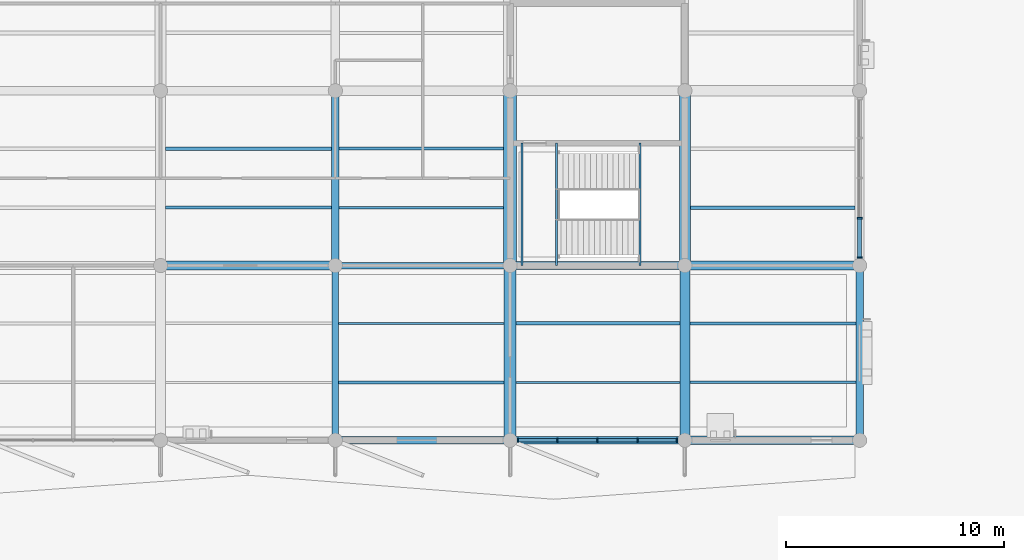
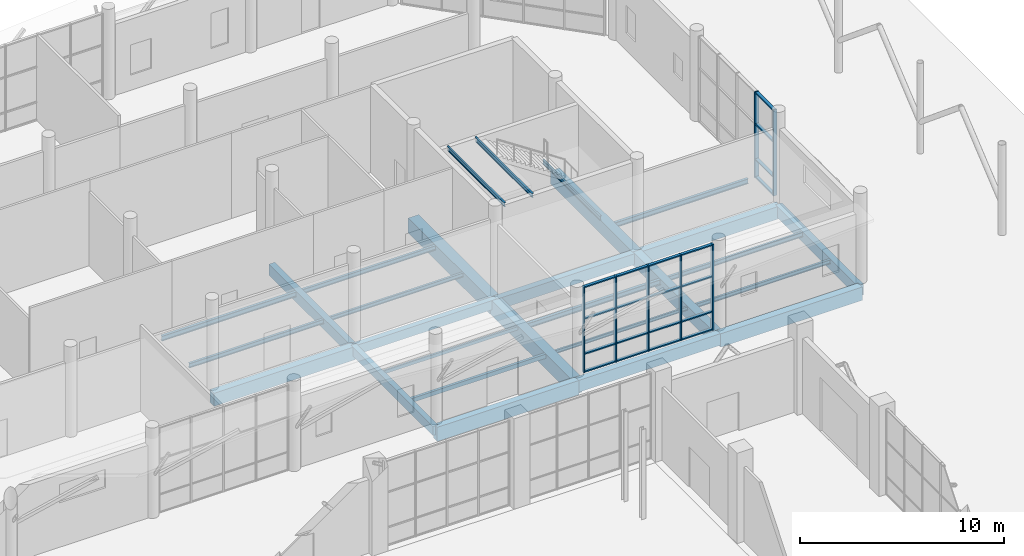
# One storey, part 58 of 123: 28 beams, 27 members, 2 elements without a shape of their own.
"""IFC4 building model written with IfcOpenShell, lengths in metres."""

from ifc_helpers import new_model, si_unit, direction, frame, origin, origin_2d, place, context, subcontext, project, spatial, rectangle, hollow_rectangle, i_section, extrude, material, material_profile, profile_set, type_object, element, aggregate, save


model = new_model("IFC4")

# Units and contexts
model_context = context("Model", 3, precision=1e-05, world=origin(), true_north=direction((0.0, 1.0)))
body_context = subcontext(model_context, "Body", "Model", "MODEL_VIEW")
ifc_project = project(units=[si_unit("LENGTHUNIT", "METRE"), si_unit("AREAUNIT", "SQUARE_METRE"), si_unit("VOLUMEUNIT", "CUBIC_METRE"), si_unit("PLANEANGLEUNIT", "RADIAN"), si_unit("MASSUNIT", "GRAM", prefix="KILO")], contexts=[model_context])

# Site, building, storey
site_placement = place(None, origin())
site = spatial("IfcSite", under=ifc_project, at=site_placement, CompositionType="ELEMENT")
building_placement = place(site_placement, origin())
building = spatial("IfcBuilding", under=site, at=building_placement, Name="Tenunan Teduh Sports Hall", CompositionType="ELEMENT")
storey_placement = place(building_placement, origin())
storey = spatial("IfcBuildingStorey", under=building, at=storey_placement, Name="L00", CompositionType="ELEMENT", Elevation=0.0)

# Beams
ifc_material_1 = material(Name="Concrete C40/50", Category="concrete")
ifc_material_profile_1 = material_profile(ifc_material_1, rectangle(XDim=0.300048828125, YDim=0.550048828125, at=origin_2d()), Name="RCB 300x550")
ifc_profile_set_1 = profile_set([ifc_material_profile_1], Name="Concrete C40/50")
beam_type_1 = type_object("IfcBeamType", Name="BM-RC-300x550", PredefinedType="BEAM", material=ifc_profile_set_1)
for number, where, z_axis, x_axis, name in (
    (1, (138.0, 94.0, -0.554931640625), (1.0, 0.0, 0.0), (0.0, 1.0, 0.0), "BM-B-02-L00-0713"),
    (2, (138.0, 86.0, -0.554931640625), (0.0, 1.0, 0.0), (-1.0, 0.0, 0.0), "BM-B-02-L00-0864"),
):
    element("IfcBeam", number, at=place(storey_placement, frame(where, z_axis=z_axis, x_axis=x_axis)), inside=storey, type_object=beam_type_1, Name=name, PredefinedType="BEAM", context=body_context, shape_type="SweptSolid", body=[
        extrude(rectangle(XDim=0.300048828125, YDim=0.550048828125, at=origin_2d()), origin(), (0.0, 0.0, 1.0), 8.0),
    ])
ifc_material_2 = material(Name="Concrete C40/50", Category="concrete")
ifc_material_profile_2 = material_profile(ifc_material_2, rectangle(XDim=0.35009765625, YDim=0.64990234375, at=origin_2d()), Name="RCB 350x650")
ifc_profile_set_2 = profile_set([ifc_material_profile_2], Name="Concrete C40/50")
beam_type_2 = type_object("IfcBeamType", Name="BM-RC-350x650", PredefinedType="BEAM", material=ifc_profile_set_2)
for number, where, z_axis, x_axis, name in (
    (3, (146.0, 94.0, -0.60498046875), (1.0, 0.0, 0.0), (0.0, 1.0, 0.0), "BM-B-05-L00-0714"),
    (4, (138.0, 94.0, -0.60498046875), (0.0, 1.0, 0.0), (-1.0, 0.0, 0.0), "BM-B-05-L00-0865"),
    (5, (162.0, 86.0, -0.60498046875), (0.0, 1.0, 0.0), (-1.0, 0.0, 0.0), "BM-B-05-L00-0887"),
):
    element("IfcBeam", number, at=place(storey_placement, frame(where, z_axis=z_axis, x_axis=x_axis)), inside=storey, type_object=beam_type_2, Name=name, PredefinedType="BEAM", context=body_context, shape_type="SweptSolid", body=[
        extrude(rectangle(XDim=0.35009765625, YDim=0.64990234375, at=origin_2d()), origin(), (0.0, 0.0, 1.0), 8.0),
    ])
ifc_material_3 = material(Name="Concrete C40/50", Category="concrete")
ifc_material_profile_3 = material_profile(ifc_material_3, rectangle(XDim=0.35009765625, YDim=0.699951171875, at=origin_2d()), Name="RCB 350x700")
ifc_profile_set_3 = profile_set([ifc_material_profile_3], Name="Concrete C40/50")
beam_type_3 = type_object("IfcBeamType", Name="BM-RC-350x700", PredefinedType="BEAM", material=ifc_profile_set_3)
beam_1_placement = place(storey_placement, frame((146.0, 86.0, -0.6298828125), z_axis=(1.0, 0.0, 0.0), x_axis=(0.0, 1.0, 0.0)))
element("IfcBeam", 6, at=beam_1_placement, inside=storey, type_object=beam_type_3, Name="BM-B-06-L00-0697", PredefinedType="BEAM", context=body_context, shape_type="SweptSolid", body=[
    extrude(rectangle(XDim=0.35009765625, YDim=0.699951171875, at=origin_2d()), origin(), (0.0, 0.0, 1.0), 8.0),
])
ifc_material_4 = material(Name="Concrete C40/50", Category="concrete")
ifc_material_profile_4 = material_profile(ifc_material_4, rectangle(XDim=0.39990234375, YDim=0.75, at=origin_2d()), Name="RCB 400x750")
ifc_profile_set_4 = profile_set([ifc_material_profile_4], Name="Concrete C40/50")
beam_type_4 = type_object("IfcBeamType", Name="BM-RC-400x750", PredefinedType="BEAM", material=ifc_profile_set_4)
beam_2_placement = place(storey_placement, frame((154.0, 94.0, -0.655029296875), z_axis=(1.0, 0.0, 0.0), x_axis=(0.0, 1.0, 0.0)))
element("IfcBeam", 7, at=beam_2_placement, inside=storey, type_object=beam_type_4, Name="BM-B-09-L00-0715", PredefinedType="BEAM", context=body_context, shape_type="SweptSolid", body=[
    extrude(rectangle(XDim=0.39990234375, YDim=0.75, at=origin_2d()), origin(), (0.0, 0.0, 1.0), 8.0),
])
ifc_material_5 = material(Name="Concrete C40/50", Category="concrete")
ifc_material_profile_5 = material_profile(ifc_material_5, rectangle(XDim=0.39990234375, YDim=0.800048828125, at=origin_2d()), Name="RCB 400x800")
ifc_profile_set_5 = profile_set([ifc_material_profile_5], Name="Concrete C40/50")
beam_type_5 = type_object("IfcBeamType", Name="BM-RC-400x800", PredefinedType="BEAM", material=ifc_profile_set_5)
beam_3_placement = place(storey_placement, frame((154.0, 86.0, -0.679931640625), z_axis=(1.0, 0.0, 0.0), x_axis=(0.0, 1.0, 0.0)))
element("IfcBeam", 8, at=beam_3_placement, inside=storey, type_object=beam_type_5, Name="BM-B-10-L00-0698", PredefinedType="BEAM", context=body_context, shape_type="SweptSolid", body=[
    extrude(rectangle(XDim=0.39990234375, YDim=0.800048828125, at=origin_2d()), origin(), (0.0, 0.0, 1.0), 8.0),
])
ifc_material_6 = material(Name="Concrete C40/50", Category="concrete")
ifc_material_profile_6 = material_profile(ifc_material_6, rectangle(XDim=0.449951171875, YDim=0.800048828125, at=origin_2d()), Name="RCB 450x800")
ifc_profile_set_6 = profile_set([ifc_material_profile_6], Name="Concrete C40/50")
beam_type_6 = type_object("IfcBeamType", Name="BM-RC-450x800", PredefinedType="BEAM", material=ifc_profile_set_6)
beam_4_placement = place(storey_placement, frame((154.0, 86.0, -0.679931640625), z_axis=(0.0, 1.0, 0.0), x_axis=(-1.0, 0.0, 0.0)))
element("IfcBeam", 9, at=beam_4_placement, inside=storey, type_object=beam_type_6, Name="BM-B-12-L00-0882", PredefinedType="BEAM", context=body_context, shape_type="SweptSolid", body=[
    extrude(rectangle(XDim=0.449951171875, YDim=0.800048828125, at=origin_2d()), origin(), (0.0, 0.0, 1.0), 8.0),
])
ifc_material_7 = material(Name="Concrete C40/50", Category="concrete")
ifc_material_profile_7 = material_profile(ifc_material_7, rectangle(XDim=0.5, YDim=0.800048828125, at=origin_2d()), Name="RCB 500x800")
ifc_profile_set_7 = profile_set([ifc_material_profile_7], Name="Concrete C40/50")
beam_type_7 = type_object("IfcBeamType", Name="BM-RC-500x800", PredefinedType="BEAM", material=ifc_profile_set_7)
beam_5_placement = place(storey_placement, frame((154.0, 94.0, -0.679931640625), z_axis=(0.0, 1.0, 0.0), x_axis=(-1.0, 0.0, 0.0)))
element("IfcBeam", 10, at=beam_5_placement, inside=storey, type_object=beam_type_7, Name="BM-B-14-L00-0883", PredefinedType="BEAM", context=body_context, shape_type="SweptSolid", body=[
    extrude(rectangle(XDim=0.5, YDim=0.800048828125, at=origin_2d()), origin(), (0.0, 0.0, 1.0), 8.0),
])
ifc_material_8 = material(Name="Concrete C40/50", Category="concrete")
ifc_material_profile_8 = material_profile(ifc_material_8, rectangle(XDim=0.550048828125, YDim=0.89990234375, at=origin_2d()), Name="RCB 550x900")
ifc_profile_set_8 = profile_set([ifc_material_profile_8], Name="Concrete C40/50")
beam_type_8 = type_object("IfcBeamType", Name="BM-RC-550x900", PredefinedType="BEAM", material=ifc_profile_set_8)
beam_6_placement = place(storey_placement, frame((146.0, 86.0, -0.72998046875), z_axis=(0.0, 1.0, 0.0), x_axis=(-1.0, 0.0, 0.0)))
element("IfcBeam", 11, at=beam_6_placement, inside=storey, type_object=beam_type_8, Name="BM-B-16-L00-0873", PredefinedType="BEAM", context=body_context, shape_type="SweptSolid", body=[
    extrude(rectangle(XDim=0.550048828125, YDim=0.89990234375, at=origin_2d()), origin(), (0.0, 0.0, 1.0), 8.0),
])
ifc_material_9 = material(Name="Concrete C40/50", Category="concrete")
ifc_material_profile_9 = material_profile(ifc_material_9, rectangle(XDim=0.60009765625, YDim=0.89990234375, at=origin_2d()), Name="RCB 600x900")
ifc_profile_set_9 = profile_set([ifc_material_profile_9], Name="Concrete C40/50")
beam_type_9 = type_object("IfcBeamType", Name="BM-RC-600x900", PredefinedType="BEAM", material=ifc_profile_set_9)
beam_7_placement = place(storey_placement, frame((146.0, 94.0, -0.72998046875), z_axis=(0.0, 1.0, 0.0), x_axis=(-1.0, 0.0, 0.0)))
element("IfcBeam", 12, at=beam_7_placement, inside=storey, type_object=beam_type_9, Name="BM-B-17-L00-0874", PredefinedType="BEAM", context=body_context, shape_type="SweptSolid", body=[
    extrude(rectangle(XDim=0.60009765625, YDim=0.89990234375, at=origin_2d()), origin(), (0.0, 0.0, 1.0), 8.0),
])
ifc_material_10 = material(Name="Concrete C40/50", Category="concrete")
ifc_material_profile_10 = material_profile(ifc_material_10, rectangle(XDim=0.35009765625, YDim=0.85009765625, at=origin_2d()), Name="SPB 350x850")
ifc_profile_set_10 = profile_set([ifc_material_profile_10], Name="Concrete C40/50")
beam_type_10 = type_object("IfcBeamType", Name="BM-SP-350x850", PredefinedType="SPANDREL", material=ifc_profile_set_10)
beam_8_placement = place(storey_placement, frame((138.0, 86.0, -0.705078125), z_axis=(1.0, 0.0, 0.0), x_axis=(0.0, 1.0, 0.0)))
element("IfcBeam", 13, at=beam_8_placement, inside=storey, type_object=beam_type_10, Name="BM-SP-02-L00-0696", PredefinedType="SPANDREL", context=body_context, shape_type="SweptSolid", body=[
    extrude(rectangle(XDim=0.35009765625, YDim=0.85009765625, at=origin_2d()), origin(), (0.0, 0.0, 1.0), 8.0),
])
ifc_material_11 = material(Name="Concrete C40/50", Category="concrete")
ifc_material_profile_11 = material_profile(ifc_material_11, rectangle(XDim=0.39990234375, YDim=0.780029296875, at=origin_2d()), Name="TB 400x780")
ifc_profile_set_11 = profile_set([ifc_material_profile_11], Name="Concrete C40/50")
beam_type_11 = type_object("IfcBeamType", Name="BM-TB-400x780", PredefinedType="T_BEAM", material=ifc_profile_set_11)
beam_9_placement = place(storey_placement, frame((130.0, 94.0, -0.669921875), z_axis=(1.0, 0.0, 0.0), x_axis=(0.0, 1.0, 0.0)))
element("IfcBeam", 14, at=beam_9_placement, inside=storey, type_object=beam_type_11, Name="BM-TB-02-L00-0712", PredefinedType="T_BEAM", context=body_context, shape_type="SweptSolid", body=[
    extrude(rectangle(XDim=0.39990234375, YDim=0.780029296875, at=origin_2d()), origin(), (0.0, 0.0, 1.0), 8.0),
])

# Curtain wall, members
ifc_material_12 = material(Name="Anodised aluminium", Category="aluminium")
curtain_wall_type = type_object("IfcCurtainWallType", Name="CW-UNIT-1", PredefinedType="NOTDEFINED", material=ifc_material_12)
curtain_wall_1_placement = place(storey_placement, origin())
curtain_wall_1 = element("IfcCurtainWall", 15, at=curtain_wall_1_placement, inside=storey, type_object=curtain_wall_type, Name="CW-CWM-200-L00-236", PredefinedType="NOTDEFINED")
ifc_material_13 = material(Name="Anodised aluminium", Category="aluminium")
ifc_material_profile_12 = material_profile(ifc_material_13, rectangle(XDim=0.070068359375, YDim=0.199951171875, at=origin_2d()), Name="CWM 70x200")
ifc_profile_set_12 = profile_set([ifc_material_profile_12], Name="Anodised aluminium")
member_type_1 = type_object("IfcMemberType", Name="CWM-200", PredefinedType="MULLION", material=ifc_profile_set_12)
member_1_placement = place(storey_placement, frame((146.360107421875, 86.0, 0.0), z_axis=(0.0, 0.0, 1.0), x_axis=(1.0, 0.0, 0.0)))
member_1 = element("IfcMember", 16, at=member_1_placement, type_object=member_type_1, Name="CW-01 mullion 1", PredefinedType="MULLION", context=body_context, shape_type="SweptSolid", body=[
    extrude(rectangle(XDim=0.070068359375, YDim=0.199951171875, at=origin_2d()), origin(), (0.0, 0.0, 1.0), 5.1201171875),
])
member_2_placement = place(storey_placement, frame((148.16259765625, 86.0, 0.0), z_axis=(0.0, 0.0, 1.0), x_axis=(1.0, 0.0, 0.0)))
member_2 = element("IfcMember", 17, at=member_2_placement, type_object=member_type_1, Name="CW-01 mullion 2", PredefinedType="MULLION", context=body_context, shape_type="SweptSolid", body=[
    extrude(rectangle(XDim=0.070068359375, YDim=0.199951171875, at=origin_2d()), origin(), (0.0, 0.0, 1.0), 5.1201171875),
])
member_3_placement = place(storey_placement, frame((150.0, 86.0, 0.0), z_axis=(0.0, 0.0, 1.0), x_axis=(1.0, 0.0, 0.0)))
member_3 = element("IfcMember", 18, at=member_3_placement, type_object=member_type_1, Name="CW-01 mullion 3", PredefinedType="MULLION", context=body_context, shape_type="SweptSolid", body=[
    extrude(rectangle(XDim=0.070068359375, YDim=0.199951171875, at=origin_2d()), origin(), (0.0, 0.0, 1.0), 5.1201171875),
])
member_4_placement = place(storey_placement, frame((151.83740234375, 86.0, 0.0), z_axis=(0.0, 0.0, 1.0), x_axis=(1.0, 0.0, 0.0)))
member_4 = element("IfcMember", 19, at=member_4_placement, type_object=member_type_1, Name="CW-01 mullion 4", PredefinedType="MULLION", context=body_context, shape_type="SweptSolid", body=[
    extrude(rectangle(XDim=0.070068359375, YDim=0.199951171875, at=origin_2d()), origin(), (0.0, 0.0, 1.0), 5.1201171875),
])
member_5_placement = place(storey_placement, frame((153.639892578125, 86.0, 0.0), z_axis=(0.0, 0.0, 1.0), x_axis=(1.0, 0.0, 0.0)))
member_5 = element("IfcMember", 20, at=member_5_placement, type_object=member_type_1, Name="CW-01 mullion 5", PredefinedType="MULLION", context=body_context, shape_type="SweptSolid", body=[
    extrude(rectangle(XDim=0.070068359375, YDim=0.199951171875, at=origin_2d()), origin(), (0.0, 0.0, 1.0), 5.1201171875),
])

curtain_wall_2_placement = place(storey_placement, origin())
curtain_wall_2 = element("IfcCurtainWall", 21, at=curtain_wall_2_placement, inside=storey, type_object=curtain_wall_type, Name="CW-CWM-220-L00-237", PredefinedType="NOTDEFINED")
ifc_material_14 = material(Name="Anodised aluminium", Category="aluminium")
ifc_material_profile_13 = material_profile(ifc_material_14, rectangle(XDim=0.074951171875, YDim=0.219970703125, at=origin_2d()), Name="CWM 75x220")
ifc_profile_set_13 = profile_set([ifc_material_profile_13], Name="Anodised aluminium")
member_type_2 = type_object("IfcMemberType", Name="CWM-220", PredefinedType="MULLION", material=ifc_profile_set_13)
member_6_placement = place(storey_placement, frame((162.0, 94.362548828125, 0.0), z_axis=(0.0, 0.0, 1.0), x_axis=(0.0, 1.0, 0.0)))
member_6 = element("IfcMember", 22, at=member_6_placement, type_object=member_type_2, Name="CW-01 mullion 1", PredefinedType="MULLION", context=body_context, shape_type="SweptSolid", body=[
    extrude(rectangle(XDim=0.074951171875, YDim=0.219970703125, at=origin_2d()), origin(), (0.0, 0.0, 1.0), 5.1201171875),
])
member_7_placement = place(storey_placement, frame((162.0, 96.16259765625, 0.0), z_axis=(0.0, 0.0, 1.0), x_axis=(0.0, 1.0, 0.0)))
member_7 = element("IfcMember", 23, at=member_7_placement, type_object=member_type_2, Name="CW-01 mullion 2", PredefinedType="MULLION", context=body_context, shape_type="SweptSolid", body=[
    extrude(rectangle(XDim=0.074951171875, YDim=0.219970703125, at=origin_2d()), origin(), (0.0, 0.0, 1.0), 5.1201171875),
])
ifc_material_15 = material(Name="Anodised aluminium", Category="aluminium")
ifc_material_profile_14 = material_profile(ifc_material_15, rectangle(XDim=0.074951171875, YDim=0.179931640625, at=origin_2d()), Name="CWT 75x180")
ifc_profile_set_14 = profile_set([ifc_material_profile_14], Name="Anodised aluminium")
member_type_3 = type_object("IfcMemberType", Name="CWT-180", PredefinedType="USERDEFINED", material=ifc_profile_set_14)
member_8_placement = place(storey_placement, frame((162.0, 94.39990234375, 0.03759765625), z_axis=(0.0, 1.0, 0.0), x_axis=(0.0, 0.0, 1.0)))
member_8 = element("IfcMember", 24, at=member_8_placement, type_object=member_type_3, Name="CW-01 transom 1.1", ObjectType="TRANSOM", PredefinedType="USERDEFINED", context=body_context, shape_type="SweptSolid", body=[
    extrude(rectangle(XDim=0.074951171875, YDim=0.179931640625, at=origin_2d()), origin(), (0.0, 0.0, 1.0), 1.72509765625),
])
member_9_placement = place(storey_placement, frame((162.0, 94.39990234375, 1.10009765625), z_axis=(0.0, 1.0, 0.0), x_axis=(0.0, 0.0, 1.0)))
member_9 = element("IfcMember", 25, at=member_9_placement, type_object=member_type_3, Name="CW-01 transom 1.2", ObjectType="TRANSOM", PredefinedType="USERDEFINED", context=body_context, shape_type="SweptSolid", body=[
    extrude(rectangle(XDim=0.074951171875, YDim=0.179931640625, at=origin_2d()), origin(), (0.0, 0.0, 1.0), 1.72509765625),
])
member_10_placement = place(storey_placement, frame((162.0, 94.39990234375, 3.199951171875), z_axis=(0.0, 1.0, 0.0), x_axis=(0.0, 0.0, 1.0)))
member_10 = element("IfcMember", 26, at=member_10_placement, type_object=member_type_3, Name="CW-01 transom 1.3", ObjectType="TRANSOM", PredefinedType="USERDEFINED", context=body_context, shape_type="SweptSolid", body=[
    extrude(rectangle(XDim=0.074951171875, YDim=0.179931640625, at=origin_2d()), origin(), (0.0, 0.0, 1.0), 1.72509765625),
])
member_11_placement = place(storey_placement, frame((162.0, 94.39990234375, 5.08251953125), z_axis=(0.0, 1.0, 0.0), x_axis=(0.0, 0.0, 1.0)))
member_11 = element("IfcMember", 27, at=member_11_placement, type_object=member_type_3, Name="CW-01 transom 1.4", ObjectType="TRANSOM", PredefinedType="USERDEFINED", context=body_context, shape_type="SweptSolid", body=[
    extrude(rectangle(XDim=0.074951171875, YDim=0.179931640625, at=origin_2d()), origin(), (0.0, 0.0, 1.0), 1.72509765625),
])
aggregate(curtain_wall_2, [member_6, member_7, member_8, member_9, member_10, member_11])

# Member
ifc_material_16 = material(Name="Anodised aluminium", Category="aluminium")
ifc_material_profile_15 = material_profile(ifc_material_16, rectangle(XDim=0.070068359375, YDim=0.159912109375, at=origin_2d()), Name="CWT 70x160")
ifc_profile_set_15 = profile_set([ifc_material_profile_15], Name="Anodised aluminium")
member_type_4 = type_object("IfcMemberType", Name="CWT-200", PredefinedType="USERDEFINED", material=ifc_profile_set_15)
member_12_placement = place(storey_placement, frame((146.39501953125, 86.0, 0.034912109375), z_axis=(1.0, 0.0, 0.0), x_axis=(0.0, 0.0, 1.0)))
member_12 = element("IfcMember", 28, at=member_12_placement, type_object=member_type_4, Name="CW-01 transom 1.1", ObjectType="TRANSOM", PredefinedType="USERDEFINED", context=body_context, shape_type="SweptSolid", body=[
    extrude(rectangle(XDim=0.070068359375, YDim=0.159912109375, at=origin_2d()), origin(), (0.0, 0.0, 1.0), 1.732421875),
])

member_13_placement = place(storey_placement, frame((146.39501953125, 86.0, 1.10009765625), z_axis=(1.0, 0.0, 0.0), x_axis=(0.0, 0.0, 1.0)))
member_13 = element("IfcMember", 29, at=member_13_placement, type_object=member_type_4, Name="CW-01 transom 1.2", ObjectType="TRANSOM", PredefinedType="USERDEFINED", context=body_context, shape_type="SweptSolid", body=[
    extrude(rectangle(XDim=0.070068359375, YDim=0.159912109375, at=origin_2d()), origin(), (0.0, 0.0, 1.0), 1.732421875),
])

member_14_placement = place(storey_placement, frame((146.39501953125, 86.0, 3.199951171875), z_axis=(1.0, 0.0, 0.0), x_axis=(0.0, 0.0, 1.0)))
member_14 = element("IfcMember", 30, at=member_14_placement, type_object=member_type_4, Name="CW-01 transom 1.3", ObjectType="TRANSOM", PredefinedType="USERDEFINED", context=body_context, shape_type="SweptSolid", body=[
    extrude(rectangle(XDim=0.070068359375, YDim=0.159912109375, at=origin_2d()), origin(), (0.0, 0.0, 1.0), 1.732421875),
])

member_15_placement = place(storey_placement, frame((146.39501953125, 86.0, 5.0849609375), z_axis=(1.0, 0.0, 0.0), x_axis=(0.0, 0.0, 1.0)))
member_15 = element("IfcMember", 31, at=member_15_placement, type_object=member_type_4, Name="CW-01 transom 1.4", ObjectType="TRANSOM", PredefinedType="USERDEFINED", context=body_context, shape_type="SweptSolid", body=[
    extrude(rectangle(XDim=0.070068359375, YDim=0.159912109375, at=origin_2d()), origin(), (0.0, 0.0, 1.0), 1.732421875),
])

member_16_placement = place(storey_placement, frame((148.197509765625, 86.0, 0.034912109375), z_axis=(1.0, 0.0, 0.0), x_axis=(0.0, 0.0, 1.0)))
member_16 = element("IfcMember", 32, at=member_16_placement, type_object=member_type_4, Name="CW-01 transom 2.1", ObjectType="TRANSOM", PredefinedType="USERDEFINED", context=body_context, shape_type="SweptSolid", body=[
    extrude(rectangle(XDim=0.070068359375, YDim=0.159912109375, at=origin_2d()), origin(), (0.0, 0.0, 1.0), 1.767578125),
])

member_17_placement = place(storey_placement, frame((148.197509765625, 86.0, 1.10009765625), z_axis=(1.0, 0.0, 0.0), x_axis=(0.0, 0.0, 1.0)))
member_17 = element("IfcMember", 33, at=member_17_placement, type_object=member_type_4, Name="CW-01 transom 2.2", ObjectType="TRANSOM", PredefinedType="USERDEFINED", context=body_context, shape_type="SweptSolid", body=[
    extrude(rectangle(XDim=0.070068359375, YDim=0.159912109375, at=origin_2d()), origin(), (0.0, 0.0, 1.0), 1.767578125),
])

member_18_placement = place(storey_placement, frame((148.197509765625, 86.0, 3.199951171875), z_axis=(1.0, 0.0, 0.0), x_axis=(0.0, 0.0, 1.0)))
member_18 = element("IfcMember", 34, at=member_18_placement, type_object=member_type_4, Name="CW-01 transom 2.3", ObjectType="TRANSOM", PredefinedType="USERDEFINED", context=body_context, shape_type="SweptSolid", body=[
    extrude(rectangle(XDim=0.070068359375, YDim=0.159912109375, at=origin_2d()), origin(), (0.0, 0.0, 1.0), 1.767578125),
])

member_19_placement = place(storey_placement, frame((148.197509765625, 86.0, 5.0849609375), z_axis=(1.0, 0.0, 0.0), x_axis=(0.0, 0.0, 1.0)))
member_19 = element("IfcMember", 35, at=member_19_placement, type_object=member_type_4, Name="CW-01 transom 2.4", ObjectType="TRANSOM", PredefinedType="USERDEFINED", context=body_context, shape_type="SweptSolid", body=[
    extrude(rectangle(XDim=0.070068359375, YDim=0.159912109375, at=origin_2d()), origin(), (0.0, 0.0, 1.0), 1.767578125),
])

member_20_placement = place(storey_placement, frame((150.034912109375, 86.0, 0.034912109375), z_axis=(1.0, 0.0, 0.0), x_axis=(0.0, 0.0, 1.0)))
member_20 = element("IfcMember", 36, at=member_20_placement, type_object=member_type_4, Name="CW-01 transom 3.1", ObjectType="TRANSOM", PredefinedType="USERDEFINED", context=body_context, shape_type="SweptSolid", body=[
    extrude(rectangle(XDim=0.070068359375, YDim=0.159912109375, at=origin_2d()), origin(), (0.0, 0.0, 1.0), 1.767578125),
])

member_21_placement = place(storey_placement, frame((150.034912109375, 86.0, 1.10009765625), z_axis=(1.0, 0.0, 0.0), x_axis=(0.0, 0.0, 1.0)))
member_21 = element("IfcMember", 37, at=member_21_placement, type_object=member_type_4, Name="CW-01 transom 3.2", ObjectType="TRANSOM", PredefinedType="USERDEFINED", context=body_context, shape_type="SweptSolid", body=[
    extrude(rectangle(XDim=0.070068359375, YDim=0.159912109375, at=origin_2d()), origin(), (0.0, 0.0, 1.0), 1.767578125),
])

member_22_placement = place(storey_placement, frame((150.034912109375, 86.0, 3.199951171875), z_axis=(1.0, 0.0, 0.0), x_axis=(0.0, 0.0, 1.0)))
member_22 = element("IfcMember", 38, at=member_22_placement, type_object=member_type_4, Name="CW-01 transom 3.3", ObjectType="TRANSOM", PredefinedType="USERDEFINED", context=body_context, shape_type="SweptSolid", body=[
    extrude(rectangle(XDim=0.070068359375, YDim=0.159912109375, at=origin_2d()), origin(), (0.0, 0.0, 1.0), 1.767578125),
])

member_23_placement = place(storey_placement, frame((150.034912109375, 86.0, 5.0849609375), z_axis=(1.0, 0.0, 0.0), x_axis=(0.0, 0.0, 1.0)))
member_23 = element("IfcMember", 39, at=member_23_placement, type_object=member_type_4, Name="CW-01 transom 3.4", ObjectType="TRANSOM", PredefinedType="USERDEFINED", context=body_context, shape_type="SweptSolid", body=[
    extrude(rectangle(XDim=0.070068359375, YDim=0.159912109375, at=origin_2d()), origin(), (0.0, 0.0, 1.0), 1.767578125),
])

member_24_placement = place(storey_placement, frame((151.87255859375, 86.0, 0.034912109375), z_axis=(1.0, 0.0, 0.0), x_axis=(0.0, 0.0, 1.0)))
member_24 = element("IfcMember", 40, at=member_24_placement, type_object=member_type_4, Name="CW-01 transom 4.1", ObjectType="TRANSOM", PredefinedType="USERDEFINED", context=body_context, shape_type="SweptSolid", body=[
    extrude(rectangle(XDim=0.070068359375, YDim=0.159912109375, at=origin_2d()), origin(), (0.0, 0.0, 1.0), 1.732421875),
])

member_25_placement = place(storey_placement, frame((151.87255859375, 86.0, 1.10009765625), z_axis=(1.0, 0.0, 0.0), x_axis=(0.0, 0.0, 1.0)))
member_25 = element("IfcMember", 41, at=member_25_placement, type_object=member_type_4, Name="CW-01 transom 4.2", ObjectType="TRANSOM", PredefinedType="USERDEFINED", context=body_context, shape_type="SweptSolid", body=[
    extrude(rectangle(XDim=0.070068359375, YDim=0.159912109375, at=origin_2d()), origin(), (0.0, 0.0, 1.0), 1.732421875),
])

member_26_placement = place(storey_placement, frame((151.87255859375, 86.0, 3.199951171875), z_axis=(1.0, 0.0, 0.0), x_axis=(0.0, 0.0, 1.0)))
member_26 = element("IfcMember", 42, at=member_26_placement, type_object=member_type_4, Name="CW-01 transom 4.3", ObjectType="TRANSOM", PredefinedType="USERDEFINED", context=body_context, shape_type="SweptSolid", body=[
    extrude(rectangle(XDim=0.070068359375, YDim=0.159912109375, at=origin_2d()), origin(), (0.0, 0.0, 1.0), 1.732421875),
])

member_27_placement = place(storey_placement, frame((151.87255859375, 86.0, 5.0849609375), z_axis=(1.0, 0.0, 0.0), x_axis=(0.0, 0.0, 1.0)))
member_27 = element("IfcMember", 43, at=member_27_placement, type_object=member_type_4, Name="CW-01 transom 4.4", ObjectType="TRANSOM", PredefinedType="USERDEFINED", context=body_context, shape_type="SweptSolid", body=[
    extrude(rectangle(XDim=0.070068359375, YDim=0.159912109375, at=origin_2d()), origin(), (0.0, 0.0, 1.0), 1.732421875),
])

aggregate(curtain_wall_1, [member_1, member_2, member_3, member_4, member_5, member_12, member_13, member_14, member_15, member_16, member_17, member_18, member_19, member_20, member_21, member_22, member_23, member_24, member_25, member_26, member_27])

# Beams
ifc_material_17 = material(Name="Steel S355", Category="steel")
ifc_material_profile_16 = material_profile(ifc_material_17, i_section(OverallWidth=0.10009765625, OverallDepth=0.199951171875, WebThickness=0.005615234375, FlangeThickness=0.008544921875, FilletRadius=0.011962890625, at=origin_2d()), Name="IPE 200")
ifc_profile_set_16 = profile_set([ifc_material_profile_16], Name="Steel S355")
beam_type_12 = type_object("IfcBeamType", Name="JST-IPE200", PredefinedType="JOIST", material=ifc_profile_set_16)
beam_10_placement = place(storey_placement, frame((146.27490234375, 88.64990234375, -0.3798828125), z_axis=(1.0, 0.0, 0.0), x_axis=(0.0, 1.0, 0.0)))
element("IfcBeam", 44, at=beam_10_placement, inside=storey, type_object=beam_type_12, Name="BM-J-01-L00-1040", PredefinedType="JOIST", context=body_context, shape_type="SweptSolid", body=[
    extrude(i_section(OverallWidth=0.10009765625, OverallDepth=0.199951171875, WebThickness=0.005615234375, FlangeThickness=0.008544921875, FilletRadius=0.011962890625, at=origin_2d()), origin(), (0.0, 0.0, 1.0), 7.5),
])
ifc_material_18 = material(Name="Steel S355", Category="steel")
ifc_material_profile_17 = material_profile(ifc_material_18, i_section(OverallWidth=0.1201171875, OverallDepth=0.239990234375, WebThickness=0.006103515625, FlangeThickness=0.009765625, FilletRadius=0.014892578125, at=origin_2d()), Name="IPE 240")
ifc_profile_set_17 = profile_set([ifc_material_profile_17], Name="Steel S355")
beam_type_13 = type_object("IfcBeamType", Name="JST-IPE240", PredefinedType="JOIST", material=ifc_profile_set_17)
beam_11_placement = place(storey_placement, frame((138.175048828125, 96.64990234375, -0.39990234375), z_axis=(1.0, 0.0, 0.0), x_axis=(0.0, 1.0, 0.0)))
element("IfcBeam", 45, at=beam_11_placement, inside=storey, type_object=beam_type_13, Name="BM-J-02-L00-1024", PredefinedType="JOIST", context=body_context, shape_type="SweptSolid", body=[
    extrude(i_section(OverallWidth=0.1201171875, OverallDepth=0.239990234375, WebThickness=0.006103515625, FlangeThickness=0.009765625, FilletRadius=0.014892578125, at=origin_2d()), origin(), (0.0, 0.0, 1.0), 7.52490234375),
])
beam_12_placement = place(storey_placement, frame((154.22509765625, 88.64990234375, -0.39990234375), z_axis=(1.0, 0.0, 0.0), x_axis=(0.0, 1.0, 0.0)))
element("IfcBeam", 46, at=beam_12_placement, inside=storey, type_object=beam_type_13, Name="BM-J-02-L00-1046", PredefinedType="JOIST", context=body_context, shape_type="SweptSolid", body=[
    extrude(i_section(OverallWidth=0.1201171875, OverallDepth=0.239990234375, WebThickness=0.006103515625, FlangeThickness=0.009765625, FilletRadius=0.014892578125, at=origin_2d()), origin(), (0.0, 0.0, 1.0), 7.599853515625),
])
ifc_material_19 = material(Name="Steel S355", Category="steel")
ifc_material_profile_18 = material_profile(ifc_material_19, i_section(OverallWidth=0.135009765625, OverallDepth=0.27001953125, WebThickness=0.006591796875, FlangeThickness=0.01025390625, FilletRadius=0.014892578125, at=origin_2d()), Name="IPE 270")
ifc_profile_set_18 = profile_set([ifc_material_profile_18], Name="Steel S355")
beam_type_14 = type_object("IfcBeamType", Name="JST-IPE270", PredefinedType="JOIST", material=ifc_profile_set_18)
beam_13_placement = place(storey_placement, frame((130.22509765625, 96.64990234375, -0.4150390625), z_axis=(1.0, 0.0, 0.0), x_axis=(0.0, 1.0, 0.0)))
element("IfcBeam", 47, at=beam_13_placement, inside=storey, type_object=beam_type_14, Name="BM-J-03-L00-1014", PredefinedType="JOIST", context=body_context, shape_type="SweptSolid", body=[
    extrude(i_section(OverallWidth=0.135009765625, OverallDepth=0.27001953125, WebThickness=0.006591796875, FlangeThickness=0.01025390625, FilletRadius=0.014892578125, at=origin_2d()), origin(), (0.0, 0.0, 1.0), 7.599853515625),
])
beam_14_placement = place(storey_placement, frame((138.175048828125, 99.35009765625, -0.4150390625), z_axis=(1.0, 0.0, 0.0), x_axis=(0.0, 1.0, 0.0)))
element("IfcBeam", 48, at=beam_14_placement, inside=storey, type_object=beam_type_14, Name="BM-J-03-L00-1025", PredefinedType="JOIST", context=body_context, shape_type="SweptSolid", body=[
    extrude(i_section(OverallWidth=0.135009765625, OverallDepth=0.27001953125, WebThickness=0.006591796875, FlangeThickness=0.01025390625, FilletRadius=0.014892578125, at=origin_2d()), origin(), (0.0, 0.0, 1.0), 7.52490234375),
])
beam_15_placement = place(storey_placement, frame((154.22509765625, 91.35009765625, -0.4150390625), z_axis=(1.0, 0.0, 0.0), x_axis=(0.0, 1.0, 0.0)))
element("IfcBeam", 49, at=beam_15_placement, inside=storey, type_object=beam_type_14, Name="BM-J-03-L00-1047", PredefinedType="JOIST", context=body_context, shape_type="SweptSolid", body=[
    extrude(i_section(OverallWidth=0.135009765625, OverallDepth=0.27001953125, WebThickness=0.006591796875, FlangeThickness=0.01025390625, FilletRadius=0.014892578125, at=origin_2d()), origin(), (0.0, 0.0, 1.0), 7.599853515625),
])
ifc_material_20 = material(Name="Steel S355", Category="steel")
ifc_material_profile_19 = material_profile(ifc_material_20, i_section(OverallWidth=0.14990234375, OverallDepth=0.300048828125, WebThickness=0.007080078125, FlangeThickness=0.0107421875, FilletRadius=0.014892578125, at=origin_2d()), Name="IPE 300")
ifc_profile_set_19 = profile_set([ifc_material_profile_19], Name="Steel S355")
beam_type_15 = type_object("IfcBeamType", Name="JST-IPE300", PredefinedType="JOIST", material=ifc_profile_set_19)
beam_16_placement = place(storey_placement, frame((130.22509765625, 99.35009765625, -0.429931640625), z_axis=(1.0, 0.0, 0.0), x_axis=(0.0, 1.0, 0.0)))
element("IfcBeam", 50, at=beam_16_placement, inside=storey, type_object=beam_type_15, Name="BM-J-04-L00-1015", PredefinedType="JOIST", context=body_context, shape_type="SweptSolid", body=[
    extrude(i_section(OverallWidth=0.14990234375, OverallDepth=0.300048828125, WebThickness=0.007080078125, FlangeThickness=0.0107421875, FilletRadius=0.014892578125, at=origin_2d()), origin(), (0.0, 0.0, 1.0), 7.599853515625),
])
beam_17_placement = place(storey_placement, frame((154.25, 96.64990234375, -0.429931640625), z_axis=(1.0, 0.0, 0.0), x_axis=(0.0, 1.0, 0.0)))
element("IfcBeam", 51, at=beam_17_placement, inside=storey, type_object=beam_type_15, Name="BM-J-04-L00-1048", PredefinedType="JOIST", context=body_context, shape_type="SweptSolid", body=[
    extrude(i_section(OverallWidth=0.14990234375, OverallDepth=0.300048828125, WebThickness=0.007080078125, FlangeThickness=0.0107421875, FilletRadius=0.014892578125, at=origin_2d()), origin(), (0.0, 0.0, 1.0), 7.550048828125),
])
ifc_material_21 = material(Name="Steel S355", Category="steel")
ifc_material_profile_20 = material_profile(ifc_material_21, hollow_rectangle(XDim=0.10009765625, YDim=0.199951171875, WallThickness=0.008056640625, at=origin_2d()), Name="RHS 200x100x8.0")
ifc_profile_set_20 = profile_set([ifc_material_profile_20], Name="Steel S355")
beam_type_16 = type_object("IfcBeamType", Name="RBM-RHS200", PredefinedType="JOIST", material=ifc_profile_set_20)
beam_18_placement = place(storey_placement, frame((138.14990234375, 91.35009765625, -0.3798828125), z_axis=(1.0, 0.0, 0.0), x_axis=(0.0, 1.0, 0.0)))
element("IfcBeam", 52, at=beam_18_placement, inside=storey, type_object=beam_type_16, Name="Perimeter Ring Beam BM-RB-05-L00-1023", PredefinedType="JOIST", context=body_context, shape_type="SweptSolid", body=[
    extrude(hollow_rectangle(XDim=0.10009765625, YDim=0.199951171875, WallThickness=0.008056640625, at=origin_2d()), origin(), (0.0, 0.0, 1.0), 7.5751953125),
])
ifc_material_22 = material(Name="Steel S355", Category="steel")
ifc_material_profile_21 = material_profile(ifc_material_22, hollow_rectangle(XDim=0.14990234375, YDim=0.25, WallThickness=0.010009765625, at=origin_2d()), Name="RHS 250x150x10.0")
ifc_profile_set_21 = profile_set([ifc_material_profile_21], Name="Steel S355")
beam_type_17 = type_object("IfcBeamType", Name="RBM-RHS250", PredefinedType="BEAM", material=ifc_profile_set_21)
beam_19_placement = place(storey_placement, frame((138.14990234375, 88.64990234375, -0.405029296875), z_axis=(1.0, 0.0, 0.0), x_axis=(0.0, 1.0, 0.0)))
element("IfcBeam", 53, at=beam_19_placement, inside=storey, type_object=beam_type_17, Name="Perimeter Ring Beam BM-RB-04-L00-1022", PredefinedType="BEAM", context=body_context, shape_type="SweptSolid", body=[
    extrude(hollow_rectangle(XDim=0.14990234375, YDim=0.25, WallThickness=0.010009765625, at=origin_2d()), origin(), (0.0, 0.0, 1.0), 7.5751953125),
])
ifc_material_23 = material(Name="Steel S355", Category="steel")
ifc_material_profile_22 = material_profile(ifc_material_23, i_section(OverallWidth=0.1650390625, OverallDepth=0.303466796875, WebThickness=0.006103515625, FlangeThickness=0.01025390625, FilletRadius=0.0087890625, at=origin_2d()), Name="UKB 305x165x40")
ifc_profile_set_22 = profile_set([ifc_material_profile_22], Name="Steel S355")
beam_type_18 = type_object("IfcBeamType", Name="SBM-UKB305", PredefinedType="BEAM", material=ifc_profile_set_22)
beam_20_placement = place(storey_placement, frame((146.27490234375, 91.35009765625, -0.431640625), z_axis=(1.0, 0.0, 0.0), x_axis=(0.0, 1.0, 0.0)))
element("IfcBeam", 54, at=beam_20_placement, inside=storey, type_object=beam_type_18, Name="BM-SB-01-L00-1041", PredefinedType="BEAM", context=body_context, shape_type="SweptSolid", body=[
    extrude(i_section(OverallWidth=0.1650390625, OverallDepth=0.303466796875, WebThickness=0.006103515625, FlangeThickness=0.01025390625, FilletRadius=0.0087890625, at=origin_2d()), origin(), (0.0, 0.0, 1.0), 7.5),
])
ifc_material_24 = material(Name="Steel S355", Category="steel")
ifc_material_profile_23 = material_profile(ifc_material_24, i_section(OverallWidth=0.090087890625, OverallDepth=0.260009765625, WebThickness=0.008056640625, FlangeThickness=0.013916015625, FilletRadius=0.011962890625, at=origin_2d()), Name="PFC 260x90")
ifc_profile_set_23 = profile_set([ifc_material_profile_23], Name="Steel S355")
beam_type_19 = type_object("IfcBeamType", Name="STR-BM-TRIM", PredefinedType="BEAM", material=ifc_profile_set_23)
for number, where, z_axis, x_axis, name in (
    (55, (151.945068359375, 94.0, 2.3701171875), (0.0, 1.0, 0.0), (-1.0, 0.0, 0.0), "BM-SS-02-E2-L00-M"),
    (56, (148.1201171875, 94.0, 5.070068359375), (0.0, 1.0, 0.0), (-1.0, 0.0, 0.0), "BM-SS-02-E2-L00-T"),
    (57, (146.550048828125, 94.0, 5.070068359375), (0.0, 1.0, 0.0), (-1.0, 0.0, 0.0), "BM-SS-02-E2-L00-TW"),
):
    element("IfcBeam", number, at=place(storey_placement, frame(where, z_axis=z_axis, x_axis=x_axis)), inside=storey, type_object=beam_type_19, Name=name, PredefinedType="BEAM", context=body_context, shape_type="SweptSolid", body=[
        extrude(i_section(OverallWidth=0.090087890625, OverallDepth=0.260009765625, WebThickness=0.008056640625, FlangeThickness=0.013916015625, FilletRadius=0.011962890625, at=origin_2d()), origin(), (0.0, 0.0, 1.0), 5.60009765625),
    ])

save(model, "model.ifc")
